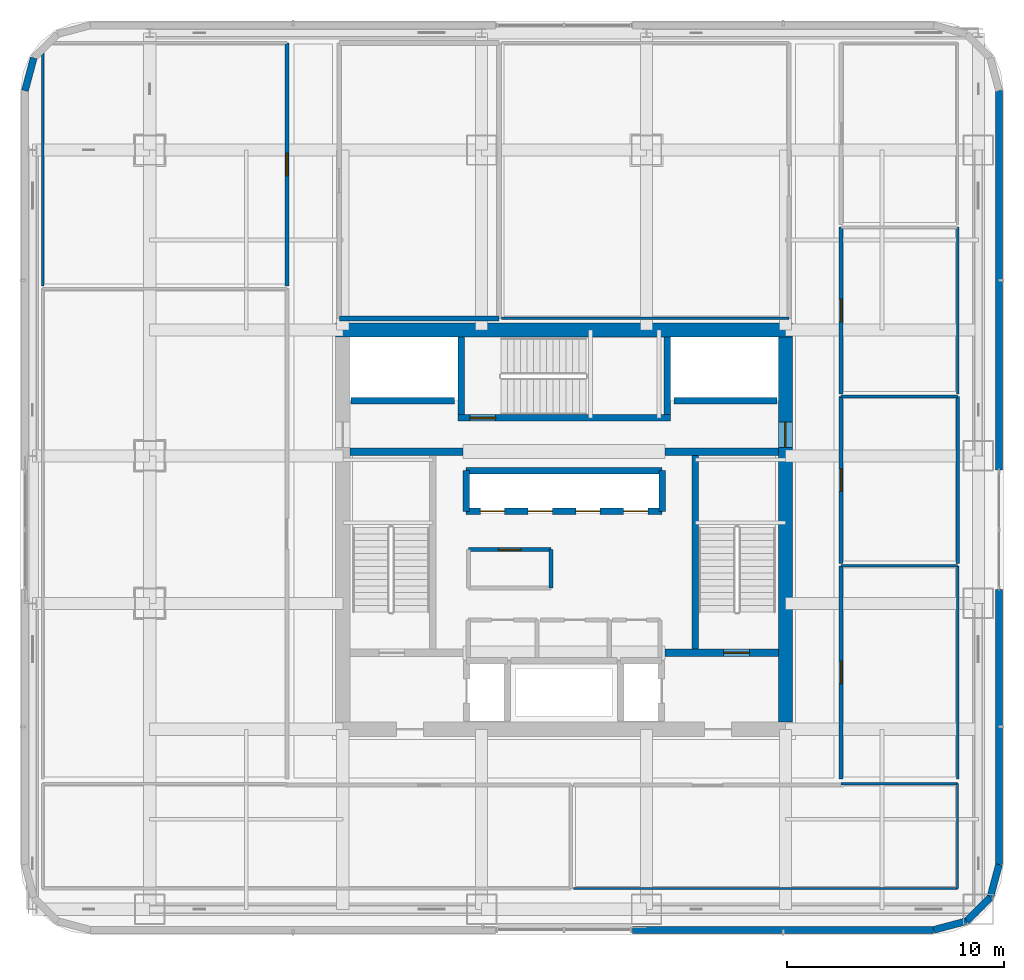
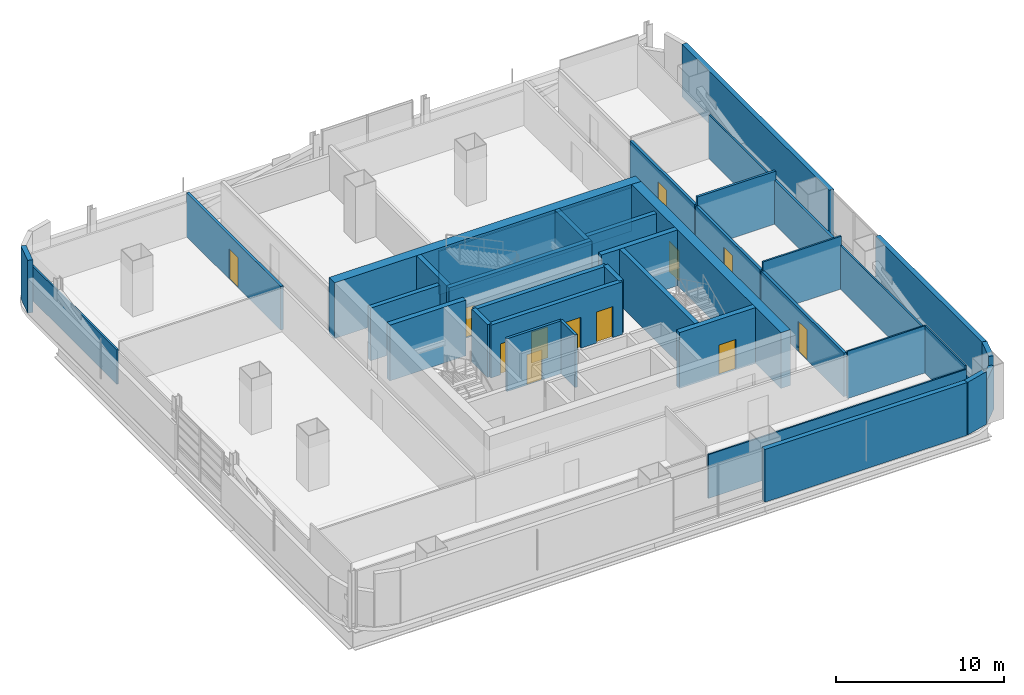
# One storey, part 14 of 32: 39 walls, 12 doors, 12 openings.
"""IFC4 building model written with IfcOpenShell, lengths in metres."""

from ifc_helpers import new_model, si_unit, direction, frame, frame_2d, origin, place, context, subcontext, project, spatial, rectangle, extrude, material, layer, layer_set, type_object, element, fill, save


model = new_model("IFC4")

# Units and contexts
model_context = context("Model", 3, precision=1e-05, world=origin(), true_north=direction((0.0, 1.0)))
body_context = subcontext(model_context, "Body", "Model", "MODEL_VIEW")
ifc_project = project(units=[si_unit("LENGTHUNIT", "METRE"), si_unit("AREAUNIT", "SQUARE_METRE"), si_unit("VOLUMEUNIT", "CUBIC_METRE"), si_unit("PLANEANGLEUNIT", "RADIAN"), si_unit("MASSUNIT", "GRAM", prefix="KILO")], contexts=[model_context])

# Site, building, storey
site_placement = place(None, origin())
site = spatial("IfcSite", under=ifc_project, at=site_placement, CompositionType="ELEMENT")
building_placement = place(site_placement, origin())
building = spatial("IfcBuilding", under=site, at=building_placement, Name="Punatoya Terracotta Tower", CompositionType="ELEMENT")
storey_placement = place(building_placement, frame((0.0, 0.0, 139.800048828125)))
storey = spatial("IfcBuildingStorey", under=building, at=storey_placement, Name="L32", CompositionType="ELEMENT", Elevation=139.800048828125)

# Wall
ifc_material_1 = material(Name="Concrete C60/75", Category="concrete")
ifc_layer_1 = layer(ifc_material_1, 0.64990234375)
ifc_layer_set_1 = layer_set([ifc_layer_1], Name="Concrete C60/75")
wall_type_1 = type_object("IfcWallType", Name="WL-COR-650", PredefinedType="SHEAR", material=ifc_layer_set_1)
wall_1_placement = place(storey_placement, frame((-10.52490234375, 9.199951171875, 0.0), z_axis=(0.0, 0.0, 1.0), x_axis=(1.0, 0.0, 0.0)))
element("IfcWall", 1, at=wall_1_placement, inside=storey, type_object=wall_type_1, Name="L32 Core Shear Wall N", PredefinedType="SHEAR", context=body_context, shape_type="SweptSolid", body=[
    extrude(rectangle(XDim=21.0498046875, YDim=0.64990234375, at=frame_2d((10.52490234375, 0.0))), origin(), (0.0, 0.0, 1.0), 4.050048828125),
])

# Wall, opening, door
wall_2_placement = place(storey_placement, frame((10.199951171875, 8.875, 0.0), z_axis=(0.0, 0.0, 1.0), x_axis=(0.0, -1.0, 0.0)))
wall_2 = element("IfcWall", 2, at=wall_2_placement, inside=storey, type_object=wall_type_1, Name="L32 Core Shear Wall E", PredefinedType="SHEAR", context=body_context, shape_type="SweptSolid", body=[
    extrude(rectangle(XDim=17.75, YDim=0.64990234375, at=frame_2d((8.875, 0.0))), origin(), (0.0, 0.0, 1.0), 4.050048828125),
])
opening_1_placement = place(wall_2_placement, frame((3.905029296875, 0.0, 0.0)))
opening_1 = element("IfcOpeningElement", 3, at=opening_1_placement, cuts=wall_2, Name="Opening SD-01", PredefinedType="OPENING", context=body_context, shape_type="SweptSolid", body=[
    extrude(rectangle(XDim=1.179931640625, YDim=2.199951171875, at=frame_2d((0.58984375, 1.10009765625))), frame((0.0, 0.3349609375, 0.0), z_axis=(0.0, -1.0, 0.0), x_axis=(1.0, 0.0, 0.0)), (0.0, 0.0, 1.0), 0.669921875),
])
ifc_material_2 = material(Name="Galvanised Steel Pressurized Stair Fire Door", Category="steel")
door_type_1 = type_object("IfcDoorType", Name="DR-STR-1180", OperationType="NOTDEFINED", PredefinedType="DOOR", material=ifc_material_2)
door_1_placement = place(opening_1_placement, origin())
door_1 = element("IfcDoor", 4, at=door_1_placement, inside=storey, type_object=door_type_1, Name="L32 Central Lift Lobby East Fire Door", OperationType="SINGLE_SWING_RIGHT", OverallHeight=2.199951171875, OverallWidth=1.179931640625, PredefinedType="DOOR", context=body_context, shape_type="SweptSolid", body=[
    extrude(rectangle(XDim=1.179931640625, YDim=2.199951171875, at=frame_2d((0.58984375, 1.10009765625))), frame((0.0, 0.02490234375, 0.0), z_axis=(0.0, -1.0, 0.0), x_axis=(1.0, 0.0, 0.0)), (0.0, 0.0, 1.0), 0.050048828125),
])
fill(opening_1, door_1)

# Wall
ifc_material_3 = material(Name="Gypsum Fireboard + Steel Stud", Category="steel")
ifc_layer_2 = layer(ifc_material_3, 0.179931640625)
ifc_layer_set_2 = layer_set([ifc_layer_2], Name="Gypsum Fireboard + Steel Stud")
wall_type_2 = type_object("IfcWallType", Name="WL-CORR-180", PredefinedType="PARTITIONING", material=ifc_layer_set_2)
wall_3_placement = place(storey_placement, frame((-0.60009765625, -2.679931640625, 0.0), z_axis=(0.0, 0.0, 1.0), x_axis=(0.0, 1.0, 0.0)))
element("IfcWall", 5, at=wall_3_placement, inside=storey, type_object=wall_type_2, Name="L32 West Core Archive Office Partition 08", PredefinedType="PARTITIONING", context=body_context, shape_type="SweptSolid", body=[
    extrude(rectangle(XDim=1.760009765625, YDim=0.179931640625, at=frame_2d((0.8798828125, 0.0))), origin(), (0.0, 0.0, 1.0), 3.829833984375),
])

# Wall, opening, door
wall_4_placement = place(storey_placement, frame((-0.60009765625, -0.919921875, 0.0), z_axis=(0.0, 0.0, 1.0), x_axis=(-1.0, 0.0, 0.0)))
wall_4 = element("IfcWall", 6, at=wall_4_placement, inside=storey, type_object=wall_type_2, Name="L32 West Core Archive Office Partition 09", PredefinedType="PARTITIONING", context=body_context, shape_type="SweptSolid", body=[
    extrude(rectangle(XDim=3.7998046875, YDim=0.179931640625, at=frame_2d((1.89990234375, 0.0))), origin(), (0.0, 0.0, 1.0), 3.829833984375),
])
opening_2_placement = place(wall_4_placement, frame((1.375, 0.0, 0.0)))
opening_2 = element("IfcOpeningElement", 7, at=opening_2_placement, cuts=wall_4, Name="Opening OD-01", PredefinedType="OPENING", context=body_context, shape_type="SweptSolid", body=[
    extrude(rectangle(XDim=1.050048828125, YDim=2.199951171875, at=frame_2d((0.52490234375, 1.10009765625))), frame((0.0, 0.099853515625, 0.0), z_axis=(0.0, -1.0, 0.0), x_axis=(1.0, 0.0, 0.0)), (0.0, 0.0, 1.0), 0.199951171875),
])
ifc_material_4 = material(Name="Bengal Teak Solid-Core Leaf")
door_type_2 = type_object("IfcDoorType", Name="DR-OFF-1050", OperationType="NOTDEFINED", PredefinedType="DOOR", material=ifc_material_4)
door_2_placement = place(opening_2_placement, origin())
door_2 = element("IfcDoor", 8, at=door_2_placement, inside=storey, type_object=door_type_2, Name="L32 West Archive Office Door", OperationType="SINGLE_SWING_LEFT", OverallHeight=2.199951171875, OverallWidth=1.050048828125, PredefinedType="DOOR", context=body_context, shape_type="SweptSolid", body=[
    extrude(rectangle(XDim=1.050048828125, YDim=2.199951171875, at=frame_2d((0.52490234375, 1.10009765625))), frame((0.0, 0.02490234375, 0.0), z_axis=(0.0, -1.0, 0.0), x_axis=(1.0, 0.0, 0.0)), (0.0, 0.0, 1.0), 0.050048828125),
])
fill(opening_2, door_2)

wall_5_placement = place(storey_placement, frame((12.77001953125, -11.489990234375, 0.0), z_axis=(0.0, 0.0, 1.0), x_axis=(0.0, 1.0, 0.0)))
wall_5 = element("IfcWall", 9, at=wall_5_placement, inside=storey, type_object=wall_type_2, Name="L32 Graphic Design Workplace Partition 23", PredefinedType="PARTITIONING", context=body_context, shape_type="SweptSolid", body=[
    extrude(rectangle(XDim=9.820068359375, YDim=0.179931640625, at=frame_2d((4.91015625, 0.0))), origin(), (0.0, 0.0, 1.0), 3.174072265625),
])
opening_3_placement = place(wall_5_placement, frame((4.385009765625, 0.0, 0.0)))
opening_3 = element("IfcOpeningElement", 10, at=opening_3_placement, cuts=wall_5, Name="Opening OD-01", PredefinedType="OPENING", context=body_context, shape_type="SweptSolid", body=[
    extrude(rectangle(XDim=1.050048828125, YDim=2.199951171875, at=frame_2d((0.52490234375, 1.10009765625))), frame((0.0, 0.099853515625, 0.0), z_axis=(0.0, -1.0, 0.0), x_axis=(1.0, 0.0, 0.0)), (0.0, 0.0, 1.0), 0.199951171875),
])
door_3_placement = place(opening_3_placement, origin())
door_3 = element("IfcDoor", 11, at=door_3_placement, inside=storey, type_object=door_type_2, Name="L32 Graphic Design Workplace Door", OperationType="SINGLE_SWING_RIGHT", OverallHeight=2.199951171875, OverallWidth=1.050048828125, PredefinedType="DOOR", context=body_context, shape_type="SweptSolid", body=[
    extrude(rectangle(XDim=1.050048828125, YDim=2.199951171875, at=frame_2d((0.52490234375, 1.10009765625))), frame((0.0, 0.02490234375, 0.0), z_axis=(0.0, -1.0, 0.0), x_axis=(1.0, 0.0, 0.0)), (0.0, 0.0, 1.0), 0.050048828125),
])
fill(opening_3, door_3)

wall_6_placement = place(storey_placement, frame((12.77001953125, -1.550048828125, 0.0), z_axis=(0.0, 0.0, 1.0), x_axis=(0.0, 1.0, 0.0)))
wall_6 = element("IfcWall", 12, at=wall_6_placement, inside=storey, type_object=wall_type_2, Name="L32 Hospitality Tea Pantry Partition 29", PredefinedType="PARTITIONING", context=body_context, shape_type="SweptSolid", body=[
    extrude(rectangle(XDim=7.68994140625, YDim=0.179931640625, at=frame_2d((3.844970703125, 0.0))), origin(), (0.0, 0.0, 1.0), 3.174072265625),
])
opening_4_placement = place(wall_6_placement, frame((3.320068359375, 0.0, 0.0)))
opening_4 = element("IfcOpeningElement", 13, at=opening_4_placement, cuts=wall_6, Name="Opening OD-01", PredefinedType="OPENING", context=body_context, shape_type="SweptSolid", body=[
    extrude(rectangle(XDim=1.050048828125, YDim=2.199951171875, at=frame_2d((0.52490234375, 1.10009765625))), frame((0.0, 0.099853515625, 0.0), z_axis=(0.0, -1.0, 0.0), x_axis=(1.0, 0.0, 0.0)), (0.0, 0.0, 1.0), 0.199951171875),
])
door_4_placement = place(opening_4_placement, origin())
door_4 = element("IfcDoor", 14, at=door_4_placement, inside=storey, type_object=door_type_2, Name="L32 Hospitality Tea Pantry Door", OperationType="SINGLE_SWING_RIGHT", OverallHeight=2.199951171875, OverallWidth=1.050048828125, PredefinedType="DOOR", context=body_context, shape_type="SweptSolid", body=[
    extrude(rectangle(XDim=1.050048828125, YDim=2.199951171875, at=frame_2d((0.52490234375, 1.10009765625))), frame((0.0, 0.02490234375, 0.0), z_axis=(0.0, -1.0, 0.0), x_axis=(1.0, 0.0, 0.0)), (0.0, 0.0, 1.0), 0.050048828125),
])
fill(opening_4, door_4)

wall_7_placement = place(storey_placement, frame((12.77001953125, 6.260009765625, 0.0), z_axis=(0.0, 0.0, 1.0), x_axis=(0.0, 1.0, 0.0)))
wall_7 = element("IfcWall", 15, at=wall_7_placement, inside=storey, type_object=wall_type_2, Name="L32 Acoustic Wellness Room Partition 32", PredefinedType="PARTITIONING", context=body_context, shape_type="SweptSolid", body=[
    extrude(rectangle(XDim=7.68994140625, YDim=0.179931640625, at=frame_2d((3.844970703125, 0.0))), origin(), (0.0, 0.0, 1.0), 3.174072265625),
])
opening_5_placement = place(wall_7_placement, frame((3.320068359375, 0.0, 0.0)))
opening_5 = element("IfcOpeningElement", 16, at=opening_5_placement, cuts=wall_7, Name="Opening OD-01", PredefinedType="OPENING", context=body_context, shape_type="SweptSolid", body=[
    extrude(rectangle(XDim=1.050048828125, YDim=2.199951171875, at=frame_2d((0.52490234375, 1.10009765625))), frame((0.0, 0.099853515625, 0.0), z_axis=(0.0, -1.0, 0.0), x_axis=(1.0, 0.0, 0.0)), (0.0, 0.0, 1.0), 0.199951171875),
])
door_5_placement = place(opening_5_placement, origin())
door_5 = element("IfcDoor", 17, at=door_5_placement, inside=storey, type_object=door_type_2, Name="L32 Acoustic Wellness Room Door", OperationType="SINGLE_SWING_LEFT", OverallHeight=2.199951171875, OverallWidth=1.050048828125, PredefinedType="DOOR", context=body_context, shape_type="SweptSolid", body=[
    extrude(rectangle(XDim=1.050048828125, YDim=2.199951171875, at=frame_2d((0.52490234375, 1.10009765625))), frame((0.0, 0.02490234375, 0.0), z_axis=(0.0, -1.0, 0.0), x_axis=(1.0, 0.0, 0.0)), (0.0, 0.0, 1.0), 0.050048828125),
])
fill(opening_5, door_5)

wall_8_placement = place(storey_placement, frame((-12.77001953125, 22.43994140625, 0.0), z_axis=(0.0, 0.0, 1.0), x_axis=(0.0, -1.0, 0.0)))
wall_8 = element("IfcWall", 18, at=wall_8_placement, inside=storey, type_object=wall_type_2, Name="L32 Open-Plan Client Briefing Office Partition 40", PredefinedType="PARTITIONING", context=body_context, shape_type="SweptSolid", body=[
    extrude(rectangle(XDim=11.2099609375, YDim=0.179931640625, at=frame_2d((5.60498046875, 0.0))), origin(), (0.0, 0.0, 1.0), 3.174072265625),
])
opening_6_placement = place(wall_8_placement, frame((5.080078125, 0.0, 0.0)))
opening_6 = element("IfcOpeningElement", 19, at=opening_6_placement, cuts=wall_8, Name="Opening OD-01", PredefinedType="OPENING", context=body_context, shape_type="SweptSolid", body=[
    extrude(rectangle(XDim=1.050048828125, YDim=2.199951171875, at=frame_2d((0.52490234375, 1.10009765625))), frame((0.0, 0.099853515625, 0.0), z_axis=(0.0, -1.0, 0.0), x_axis=(1.0, 0.0, 0.0)), (0.0, 0.0, 1.0), 0.199951171875),
])
door_6_placement = place(opening_6_placement, origin())
door_6 = element("IfcDoor", 20, at=door_6_placement, inside=storey, type_object=door_type_2, Name="L32 Open-Plan Client Briefing Office Door", OperationType="SINGLE_SWING_RIGHT", OverallHeight=2.199951171875, OverallWidth=1.050048828125, PredefinedType="DOOR", context=body_context, shape_type="SweptSolid", body=[
    extrude(rectangle(XDim=1.050048828125, YDim=2.199951171875, at=frame_2d((0.52490234375, 1.10009765625))), frame((0.0, 0.02490234375, 0.0), z_axis=(0.0, -1.0, 0.0), x_axis=(1.0, 0.0, 0.0)), (0.0, 0.0, 1.0), 0.050048828125),
])
fill(opening_6, door_6)

# Walls
ifc_material_5 = material(Name="Precast concrete C40/50", Category="concrete")
ifc_layer_3 = layer(ifc_material_5, 0.320068359375)
ifc_layer_set_3 = layer_set([ifc_layer_3], Name="Precast concrete C40/50")
wall_type_3 = type_object("IfcWallType", Name="WL-EXT-320", PredefinedType="SOLIDWALL", material=ifc_layer_set_3)
wall_9_placement = place(storey_placement, frame((3.14990234375, -18.449951171875, 0.0), z_axis=(0.0, 0.0, 1.0), x_axis=(1.0, 0.0, 0.0)))
element("IfcWall", 21, at=wall_9_placement, inside=storey, type_object=wall_type_3, Name="L32 Terracotta Braced Facade Wall S2", PredefinedType="SOLIDWALL", context=body_context, shape_type="SweptSolid", body=[
    extrude(rectangle(XDim=13.886962890625, YDim=0.320068359375, at=frame_2d((6.943359375, 0.0))), origin(), (0.0, 0.0, 1.0), 3.829833984375),
])
wall_10_placement = place(storey_placement, frame((17.036865234375, -18.449951171875, 0.0), z_axis=(0.0, 0.0, 1.0), x_axis=(0.966224582397, 0.257701486942, 0.0)))
element("IfcWall", 22, at=wall_10_placement, inside=storey, type_object=wall_type_3, Name="L32 Rounded Terracotta Corner Pier 02", PredefinedType="SOLIDWALL", context=body_context, shape_type="SweptSolid", body=[
    extrude(rectangle(XDim=1.565185546875, YDim=0.320068359375, at=frame_2d((0.78271484375, 0.0))), origin(), (0.0, 0.0, 1.0), 3.829833984375),
])
wall_11_placement = place(storey_placement, frame((18.549072265625, -18.046630859375, 0.0), z_axis=(0.0, 0.0, 1.0), x_axis=(0.707106781187, 0.707106781187, 0.0)))
element("IfcWall", 23, at=wall_11_placement, inside=storey, type_object=wall_type_3, Name="L32 Rounded Terracotta Corner Pier 03", PredefinedType="SOLIDWALL", context=body_context, shape_type="SweptSolid", body=[
    extrude(rectangle(XDim=1.552001953125, YDim=0.320068359375, at=frame_2d((0.77587890625, 0.0))), origin(), (0.0, 0.0, 1.0), 3.174072265625),
])
wall_12_placement = place(storey_placement, frame((19.646484375, -16.94921875, 0.0), z_axis=(0.0, 0.0, 1.0), x_axis=(0.257847112249, 0.966185730957, 0.0)))
element("IfcWall", 24, at=wall_12_placement, inside=storey, type_object=wall_type_3, Name="L32 Rounded Terracotta Corner Pier 04", PredefinedType="SOLIDWALL", context=body_context, shape_type="SweptSolid", body=[
    extrude(rectangle(XDim=1.565185546875, YDim=0.320068359375, at=frame_2d((0.78271484375, 0.0))), origin(), (0.0, 0.0, 1.0), 3.829833984375),
])
wall_13_placement = place(storey_placement, frame((20.050048828125, -15.43701171875, 0.0), z_axis=(0.0, 0.0, 1.0), x_axis=(0.0, 1.0, 0.0)))
element("IfcWall", 25, at=wall_13_placement, inside=storey, type_object=wall_type_3, Name="L32 Terracotta Braced Facade Wall E1", PredefinedType="SOLIDWALL", context=body_context, shape_type="SweptSolid", body=[
    extrude(rectangle(XDim=12.68701171875, YDim=0.320068359375, at=frame_2d((6.343505859375, 0.0))), origin(), (0.0, 0.0, 1.0), 3.829833984375),
])
wall_14_placement = place(storey_placement, frame((20.050048828125, 2.75, 0.0), z_axis=(0.0, 0.0, 1.0), x_axis=(0.0, 1.0, 0.0)))
element("IfcWall", 26, at=wall_14_placement, inside=storey, type_object=wall_type_3, Name="L32 Terracotta Braced Facade Wall E2", PredefinedType="SOLIDWALL", context=body_context, shape_type="SweptSolid", body=[
    extrude(rectangle(XDim=17.48681640625, YDim=0.320068359375, at=frame_2d((8.743408203125, 0.0))), origin(), (0.0, 0.0, 1.0), 3.829833984375),
])
wall_15_placement = place(storey_placement, frame((-24.446533203125, 21.7490234375, 0.0), z_axis=(0.0, 0.0, 1.0), x_axis=(-0.257847112249, -0.966185730957, 0.0)))
element("IfcWall", 27, at=wall_15_placement, inside=storey, type_object=wall_type_3, Name="L32 Rounded Terracotta Corner Pier 12", PredefinedType="SOLIDWALL", context=body_context, shape_type="SweptSolid", body=[
    extrude(rectangle(XDim=1.565185546875, YDim=0.320068359375, at=frame_2d((0.78271484375, 0.0))), origin(), (0.0, 0.0, 1.0), 3.829833984375),
])
ifc_material_6 = material(Name="Concrete C40/50", Category="concrete")
ifc_layer_4 = layer(ifc_material_6, 0.219970703125)
ifc_layer_set_4 = layer_set([ifc_layer_4], Name="Concrete C40/50")
wall_type_4 = type_object("IfcWallType", Name="WL-FIR-220", PredefinedType="SOLIDWALL", material=ifc_layer_set_4)
wall_16_placement = place(storey_placement, frame((-2.993896484375, 9.739990234375, 0.0), z_axis=(0.0, 0.0, 1.0), x_axis=(-1.0, 0.0, 0.0)))
element("IfcWall", 28, at=wall_16_placement, inside=storey, type_object=wall_type_4, Name="L32 Open-Plan Model-Making Archive Partition 35", PredefinedType="SOLIDWALL", context=body_context, shape_type="SweptSolid", body=[
    extrude(rectangle(XDim=7.3662109375, YDim=0.219970703125, at=frame_2d((3.68310546875, 0.0))), origin(), (0.0, 0.0, 1.0), 3.174072265625),
])
ifc_material_7 = material(Name="Aluminium Framed Acoustic Glass Partition", Category="aluminium")
ifc_layer_5 = layer(ifc_material_7, 0.10009765625)
ifc_layer_set_5 = layer_set([ifc_layer_5], Name="Aluminium Framed Acoustic Glass Partition")
wall_type_5 = type_object("IfcWallType", Name="WL-GLZ-100", PredefinedType="PARTITIONING", material=ifc_layer_set_5)
wall_17_placement = place(storey_placement, frame((12.77001953125, -11.7099609375, 0.0), z_axis=(0.0, 0.0, 1.0), x_axis=(1.0, 0.0, 0.0)))
element("IfcWall", 29, at=wall_17_placement, inside=storey, type_object=wall_type_5, Name="L32 Media Broadcast Studio Partition 18", PredefinedType="PARTITIONING", context=body_context, shape_type="SweptSolid", body=[
    extrude(rectangle(XDim=5.369873046875, YDim=0.10009765625, at=frame_2d((2.68505859375, 0.0))), origin(), (0.0, 0.0, 1.0), 3.424072265625),
])
wall_18_placement = place(storey_placement, frame((18.139892578125, -11.7099609375, 0.0), z_axis=(0.0, 0.0, 1.0), x_axis=(0.0, -1.0, 0.0)))
element("IfcWall", 30, at=wall_18_placement, inside=storey, type_object=wall_type_5, Name="L32 Media Broadcast Studio Partition 19", PredefinedType="PARTITIONING", context=body_context, shape_type="SweptSolid", body=[
    extrude(rectangle(XDim=4.830078125, YDim=0.10009765625, at=frame_2d((2.4150390625, 0.0))), origin(), (0.0, 0.0, 1.0), 3.424072265625),
])
wall_19_placement = place(storey_placement, frame((18.139892578125, -16.5400390625, 0.0), z_axis=(0.0, 0.0, 1.0), x_axis=(-1.0, 0.0, 0.0)))
element("IfcWall", 31, at=wall_19_placement, inside=storey, type_object=wall_type_5, Name="L32 Media Broadcast Studio Partition 20", PredefinedType="PARTITIONING", context=body_context, shape_type="SweptSolid", body=[
    extrude(rectangle(XDim=17.701904296875, YDim=0.10009765625, at=frame_2d((8.85107421875, 0.0))), origin(), (0.0, 0.0, 1.0), 3.174072265625),
])
ifc_material_8 = material(Name="Gypsum Partition + Steel Stud", Category="steel")
ifc_layer_6 = layer(ifc_material_8, 0.1201171875)
ifc_layer_set_6 = layer_set([ifc_layer_6], Name="Gypsum Partition + Steel Stud")
wall_type_6 = type_object("IfcWallType", Name="WL-OFF-120", PredefinedType="PARTITIONING", material=ifc_layer_set_6)
wall_20_placement = place(storey_placement, frame((12.77001953125, -1.669921875, 0.0), z_axis=(0.0, 0.0, 1.0), x_axis=(1.0, 0.0, 0.0)))
element("IfcWall", 32, at=wall_20_placement, inside=storey, type_object=wall_type_6, Name="L32 Graphic Design Workplace Partition 21", PredefinedType="PARTITIONING", context=body_context, shape_type="SweptSolid", body=[
    extrude(rectangle(XDim=5.369873046875, YDim=0.1201171875, at=frame_2d((2.68505859375, 0.0))), origin(), (0.0, 0.0, 1.0), 3.829833984375),
])
wall_21_placement = place(storey_placement, frame((18.139892578125, -1.669921875, 0.0), z_axis=(0.0, 0.0, 1.0), x_axis=(0.0, -1.0, 0.0)))
element("IfcWall", 33, at=wall_21_placement, inside=storey, type_object=wall_type_6, Name="L32 Graphic Design Workplace Partition 22", PredefinedType="PARTITIONING", context=body_context, shape_type="SweptSolid", body=[
    extrude(rectangle(XDim=9.820068359375, YDim=0.1201171875, at=frame_2d((4.91015625, 0.0))), origin(), (0.0, 0.0, 1.0), 3.174072265625),
])
wall_22_placement = place(storey_placement, frame((18.139892578125, 13.949951171875, 0.0), z_axis=(0.0, 0.0, 1.0), x_axis=(0.0, -1.0, 0.0)))
element("IfcWall", 34, at=wall_22_placement, inside=storey, type_object=wall_type_6, Name="L32 Acoustic Wellness Room Partition 31", PredefinedType="PARTITIONING", context=body_context, shape_type="SweptSolid", body=[
    extrude(rectangle(XDim=7.68994140625, YDim=0.1201171875, at=frame_2d((3.844970703125, 0.0))), origin(), (0.0, 0.0, 1.0), 3.174072265625),
])
wall_23_placement = place(storey_placement, frame((10.360107421875, 9.739990234375, 0.0), z_axis=(0.0, 0.0, 1.0), x_axis=(-1.0, 0.0, 0.0)))
element("IfcWall", 35, at=wall_23_placement, inside=storey, type_object=wall_type_6, Name="L32 Editorial Conference Room Partition 37", PredefinedType="PARTITIONING", context=body_context, shape_type="SweptSolid", body=[
    extrude(rectangle(XDim=13.234130859375, YDim=0.1201171875, at=frame_2d((6.6171875, 0.0))), origin(), (0.0, 0.0, 1.0), 3.174072265625),
])
wall_24_placement = place(storey_placement, frame((-24.0400390625, 11.22998046875, 0.0), z_axis=(0.0, 0.0, 1.0), x_axis=(0.0, 1.0, 0.0)))
element("IfcWall", 36, at=wall_24_placement, inside=storey, type_object=wall_type_6, Name="L32 Open-Plan Client Briefing Office Partition 41", PredefinedType="PARTITIONING", context=body_context, shape_type="SweptSolid", body=[
    extrude(rectangle(XDim=10.91748046875, YDim=0.1201171875, at=frame_2d((5.458740234375, 0.0))), origin(), (0.0, 0.0, 1.0), 2.50390625),
])
ifc_layer_7 = layer(ifc_material_6, 0.300048828125)
ifc_layer_set_7 = layer_set([ifc_layer_7], Name="Concrete C40/50")
wall_type_7 = type_object("IfcWallType", Name="WL-SHF-300", PredefinedType="SOLIDWALL", material=ifc_layer_set_7)
wall_25_placement = place(storey_placement, frame((6.050048828125, 3.449951171875, 0.0), z_axis=(0.0, 0.0, 1.0), x_axis=(0.0, -1.0, 0.0)))
element("IfcWall", 37, at=wall_25_placement, inside=storey, type_object=wall_type_7, Name="L32 Structural Stair Shaft Wall SW-ST2-W", PredefinedType="SOLIDWALL", context=body_context, shape_type="SweptSolid", body=[
    extrude(rectangle(XDim=8.949951171875, YDim=0.300048828125, at=frame_2d((4.47509765625, 0.0))), origin(), (0.0, 0.0, 1.0), 4.050048828125),
])
for number, where, z_axis, x_axis, name in (
    (38, (-4.75, 5.300048828125, 0.0), (0.0, 0.0, 1.0), (0.0, 1.0, 0.0), "L32 Structural Stair Shaft Wall SW-ST3-W"),
    (39, (4.75, 8.875, 0.0), (0.0, 0.0, 1.0), (0.0, -1.0, 0.0), "L32 Structural Stair Shaft Wall SW-ST3-E"),
):
    element("IfcWall", number, at=place(storey_placement, frame(where, z_axis=z_axis, x_axis=x_axis)), inside=storey, type_object=wall_type_7, Name=name, PredefinedType="SOLIDWALL", context=body_context, shape_type="SweptSolid", body=[
        extrude(rectangle(XDim=3.574951171875, YDim=0.300048828125, at=frame_2d((1.78759765625, 0.0))), origin(), (0.0, 0.0, 1.0), 4.050048828125),
    ])

# Wall, opening, door
wall_26_placement = place(storey_placement, frame((-4.89990234375, 5.14990234375, 0.0), z_axis=(0.0, 0.0, 1.0), x_axis=(1.0, 0.0, 0.0)))
wall_26 = element("IfcWall", 40, at=wall_26_placement, inside=storey, type_object=wall_type_7, Name="L32 Structural Stair Shaft Wall SW-ST3-S", PredefinedType="SOLIDWALL", context=body_context, shape_type="SweptSolid", body=[
    extrude(rectangle(XDim=9.7998046875, YDim=0.300048828125, at=frame_2d((4.89990234375, 0.0))), origin(), (0.0, 0.0, 1.0), 4.050048828125),
])
opening_7_placement = place(wall_26_placement, frame((0.56005859375, 0.0, 0.0)))
opening_7 = element("IfcOpeningElement", 41, at=opening_7_placement, cuts=wall_26, Name="Opening SD-01", PredefinedType="OPENING", context=body_context, shape_type="SweptSolid", body=[
    extrude(rectangle(XDim=1.179931640625, YDim=2.199951171875, at=frame_2d((0.58984375, 1.10009765625))), frame((0.0, 0.159912109375, 0.0), z_axis=(0.0, -1.0, 0.0), x_axis=(1.0, 0.0, 0.0)), (0.0, 0.0, 1.0), 0.320068359375),
])
door_7_placement = place(opening_7_placement, origin())
door_7 = element("IfcDoor", 42, at=door_7_placement, inside=storey, type_object=door_type_1, Name="L32 Stair ST-3 Core Lobby Fire Door", OperationType="SINGLE_SWING_LEFT", OverallHeight=2.199951171875, OverallWidth=1.179931640625, PredefinedType="DOOR", context=body_context, shape_type="SweptSolid", body=[
    extrude(rectangle(XDim=1.179931640625, YDim=2.199951171875, at=frame_2d((0.58984375, 1.10009765625))), frame((0.0, 0.02490234375, 0.0), z_axis=(0.0, -1.0, 0.0), x_axis=(1.0, 0.0, 0.0)), (0.0, 0.0, 1.0), 0.050048828125),
])
fill(opening_7, door_7)

# Wall, openings, doors
wall_27_placement = place(storey_placement, frame((-4.52001953125, 0.840087890625, 0.0), z_axis=(0.0, 0.0, 1.0), x_axis=(1.0, 0.0, 0.0)))
wall_27 = element("IfcWall", 43, at=wall_27_placement, inside=storey, type_object=wall_type_7, Name="L32 North Lift Bank Front Shaft Wall", PredefinedType="SOLIDWALL", context=body_context, shape_type="SweptSolid", body=[
    extrude(rectangle(XDim=9.0400390625, YDim=0.300048828125, at=frame_2d((4.52001953125, 0.0))), origin(), (0.0, 0.0, 1.0), 3.829833984375),
])
opening_8_placement = place(wall_27_placement, frame((0.659912109375, 0.0, 0.0)))
opening_8 = element("IfcOpeningElement", 44, at=opening_8_placement, cuts=wall_27, Name="Opening LD-02", PredefinedType="OPENING", context=body_context, shape_type="SweptSolid", body=[
    extrude(rectangle(XDim=1.1201171875, YDim=2.25, at=frame_2d((0.56005859375, 1.125))), frame((0.0, 0.159912109375, 0.0), z_axis=(0.0, -1.0, 0.0), x_axis=(1.0, 0.0, 0.0)), (0.0, 0.0, 1.0), 0.320068359375),
])
opening_9_placement = place(wall_27_placement, frame((2.860107421875, 0.0, 0.0)))
opening_9 = element("IfcOpeningElement", 45, at=opening_9_placement, cuts=wall_27, Name="Opening LD-02", PredefinedType="OPENING", context=body_context, shape_type="SweptSolid", body=[
    extrude(rectangle(XDim=1.1201171875, YDim=2.25, at=frame_2d((0.56005859375, 1.125))), frame((0.0, 0.159912109375, 0.0), z_axis=(0.0, -1.0, 0.0), x_axis=(1.0, 0.0, 0.0)), (0.0, 0.0, 1.0), 0.320068359375),
])
opening_10_placement = place(wall_27_placement, frame((5.06005859375, 0.0, 0.0)))
opening_10 = element("IfcOpeningElement", 46, at=opening_10_placement, cuts=wall_27, Name="Opening LD-02", PredefinedType="OPENING", context=body_context, shape_type="SweptSolid", body=[
    extrude(rectangle(XDim=1.1201171875, YDim=2.25, at=frame_2d((0.56005859375, 1.125))), frame((0.0, 0.159912109375, 0.0), z_axis=(0.0, -1.0, 0.0), x_axis=(1.0, 0.0, 0.0)), (0.0, 0.0, 1.0), 0.320068359375),
])
opening_11_placement = place(wall_27_placement, frame((7.260009765625, 0.0, 0.0)))
opening_11 = element("IfcOpeningElement", 47, at=opening_11_placement, cuts=wall_27, Name="Opening LD-02", PredefinedType="OPENING", context=body_context, shape_type="SweptSolid", body=[
    extrude(rectangle(XDim=1.1201171875, YDim=2.25, at=frame_2d((0.56005859375, 1.125))), frame((0.0, 0.159912109375, 0.0), z_axis=(0.0, -1.0, 0.0), x_axis=(1.0, 0.0, 0.0)), (0.0, 0.0, 1.0), 0.320068359375),
])
ifc_material_9 = material(Name="Stainless Steel Lift Landing Door", Category="steel")
door_type_3 = type_object("IfcDoorType", Name="DR-LND-1120", OperationType="NOTDEFINED", PredefinedType="DOOR", material=ifc_material_9)
door_8_placement = place(opening_8_placement, origin())
door_8 = element("IfcDoor", 48, at=door_8_placement, inside=storey, type_object=door_type_3, Name="L32 Lift PL-M1 Sliding Landing Door", OperationType="DOUBLE_DOOR_SLIDING", OverallHeight=2.25, OverallWidth=1.1201171875, PredefinedType="DOOR", context=body_context, shape_type="SweptSolid", body=[
    extrude(rectangle(XDim=1.1201171875, YDim=2.25, at=frame_2d((0.56005859375, 1.125))), frame((0.0, 0.02490234375, 0.0), z_axis=(0.0, -1.0, 0.0), x_axis=(1.0, 0.0, 0.0)), (0.0, 0.0, 1.0), 0.050048828125),
])
fill(opening_8, door_8)
door_9_placement = place(opening_9_placement, origin())
door_9 = element("IfcDoor", 49, at=door_9_placement, inside=storey, type_object=door_type_3, Name="L32 Lift PL-M2 Sliding Landing Door", OperationType="DOUBLE_DOOR_SLIDING", OverallHeight=2.25, OverallWidth=1.1201171875, PredefinedType="DOOR", context=body_context, shape_type="SweptSolid", body=[
    extrude(rectangle(XDim=1.1201171875, YDim=2.25, at=frame_2d((0.56005859375, 1.125))), frame((0.0, 0.02490234375, 0.0), z_axis=(0.0, -1.0, 0.0), x_axis=(1.0, 0.0, 0.0)), (0.0, 0.0, 1.0), 0.050048828125),
])
fill(opening_9, door_9)
door_10_placement = place(opening_10_placement, origin())
door_10 = element("IfcDoor", 50, at=door_10_placement, inside=storey, type_object=door_type_3, Name="L32 Lift PL-M3 Sliding Landing Door", OperationType="DOUBLE_DOOR_SLIDING", OverallHeight=2.25, OverallWidth=1.1201171875, PredefinedType="DOOR", context=body_context, shape_type="SweptSolid", body=[
    extrude(rectangle(XDim=1.1201171875, YDim=2.25, at=frame_2d((0.56005859375, 1.125))), frame((0.0, 0.02490234375, 0.0), z_axis=(0.0, -1.0, 0.0), x_axis=(1.0, 0.0, 0.0)), (0.0, 0.0, 1.0), 0.050048828125),
])
fill(opening_10, door_10)
door_11_placement = place(opening_11_placement, origin())
door_11 = element("IfcDoor", 51, at=door_11_placement, inside=storey, type_object=door_type_3, Name="L32 Lift PL-M4 Sliding Landing Door", OperationType="DOUBLE_DOOR_SLIDING", OverallHeight=2.25, OverallWidth=1.1201171875, PredefinedType="DOOR", context=body_context, shape_type="SweptSolid", body=[
    extrude(rectangle(XDim=1.1201171875, YDim=2.25, at=frame_2d((0.56005859375, 1.125))), frame((0.0, 0.02490234375, 0.0), z_axis=(0.0, -1.0, 0.0), x_axis=(1.0, 0.0, 0.0)), (0.0, 0.0, 1.0), 0.050048828125),
])
fill(opening_11, door_11)

# Walls
wall_28_placement = place(storey_placement, frame((-4.52001953125, 2.719970703125, 0.0), z_axis=(0.0, 0.0, 1.0), x_axis=(1.0, 0.0, 0.0)))
element("IfcWall", 52, at=wall_28_placement, inside=storey, type_object=wall_type_7, Name="L32 North Lift Bank Rear Shaft Wall", PredefinedType="SOLIDWALL", context=body_context, shape_type="SweptSolid", body=[
    extrude(rectangle(XDim=9.0400390625, YDim=0.300048828125, at=frame_2d((4.52001953125, 0.0))), origin(), (0.0, 0.0, 1.0), 3.829833984375),
])
for number, where, z_axis, x_axis, name in (
    (53, (-4.52001953125, 0.840087890625, 0.0), (0.0, 0.0, 1.0), (0.0, 1.0, 0.0), "L32 North Lift Bank West End Wall"),
    (54, (4.52001953125, 0.840087890625, 0.0), (0.0, 0.0, 1.0), (0.0, 1.0, 0.0), "L32 North Lift Bank East End Wall"),
):
    element("IfcWall", number, at=place(storey_placement, frame(where, z_axis=z_axis, x_axis=x_axis)), inside=storey, type_object=wall_type_7, Name=name, PredefinedType="SOLIDWALL", context=body_context, shape_type="SweptSolid", body=[
        extrude(rectangle(XDim=1.8798828125, YDim=0.300048828125, at=frame_2d((0.93994140625, 0.0))), origin(), (0.0, 0.0, 1.0), 3.829833984375),
    ])
for number, where, z_axis, x_axis, name in (
    (55, (-9.820068359375, 5.949951171875, 0.0), (0.0, 0.0, 1.0), (1.0, 0.0, 0.0), "L32 Shuttle SL-1 South Hoistway Wall"),
    (56, (5.06005859375, 5.949951171875, 0.0), (0.0, 0.0, 1.0), (1.0, 0.0, 0.0), "L32 Shuttle SL-2 South Hoistway Wall"),
):
    element("IfcWall", number, at=place(storey_placement, frame(where, z_axis=z_axis, x_axis=x_axis)), inside=storey, type_object=wall_type_7, Name=name, PredefinedType="SOLIDWALL", context=body_context, shape_type="SweptSolid", body=[
        extrude(rectangle(XDim=4.760009765625, YDim=0.300048828125, at=frame_2d((2.3798828125, 0.0))), origin(), (0.0, 0.0, 1.0), 3.829833984375),
    ])

# Wall, opening, door
ifc_material_10 = material(Name="Concrete C50/60", Category="concrete")
ifc_layer_8 = layer(ifc_material_10, 0.35009765625)
ifc_layer_set_8 = layer_set([ifc_layer_8], Name="Concrete C50/60")
wall_type_8 = type_object("IfcWallType", Name="WL-SHF-350", PredefinedType="SOLIDWALL", material=ifc_layer_set_8)
wall_29_placement = place(storey_placement, frame((4.64990234375, -5.679931640625, 0.0), z_axis=(0.0, 0.0, 1.0), x_axis=(1.0, 0.0, 0.0)))
wall_29 = element("IfcWall", 57, at=wall_29_placement, inside=storey, type_object=wall_type_8, Name="L32 Core Web Wall CSW-R", PredefinedType="SOLIDWALL", context=body_context, shape_type="SweptSolid", body=[
    extrude(rectangle(XDim=5.22509765625, YDim=0.35009765625, at=frame_2d((2.612548828125, 0.0))), origin(), (0.0, 0.0, 1.0), 4.050048828125),
])
opening_12_placement = place(wall_29_placement, frame((2.7099609375, 0.0, 0.0)))
opening_12 = element("IfcOpeningElement", 58, at=opening_12_placement, cuts=wall_29, Name="Opening SD-01", PredefinedType="OPENING", context=body_context, shape_type="SweptSolid", body=[
    extrude(rectangle(XDim=1.179931640625, YDim=2.199951171875, at=frame_2d((0.58984375, 1.10009765625))), frame((0.0, 0.18505859375, 0.0), z_axis=(0.0, -1.0, 0.0), x_axis=(1.0, 0.0, 0.0)), (0.0, 0.0, 1.0), 0.3701171875),
])
door_12_placement = place(opening_12_placement, origin())
door_12 = element("IfcDoor", 59, at=door_12_placement, inside=storey, type_object=door_type_1, Name="L32 Stair ST-2 Smokeproof Lobby Fire Door", OperationType="SINGLE_SWING_RIGHT", OverallHeight=2.199951171875, OverallWidth=1.179931640625, PredefinedType="DOOR", context=body_context, shape_type="SweptSolid", body=[
    extrude(rectangle(XDim=1.179931640625, YDim=2.199951171875, at=frame_2d((0.58984375, 1.10009765625))), frame((0.0, 0.02490234375, 0.0), z_axis=(0.0, -1.0, 0.0), x_axis=(1.0, 0.0, 0.0)), (0.0, 0.0, 1.0), 0.050048828125),
])
fill(opening_12, door_12)

# Walls
for number, where, z_axis, x_axis, name in (
    (60, (-9.875, 3.60009765625, 0.0), (0.0, 0.0, 1.0), (1.0, 0.0, 0.0), "L32 Core Web Wall CNW-L"),
    (61, (4.64990234375, 3.60009765625, 0.0), (0.0, 0.0, 1.0), (1.0, 0.0, 0.0), "L32 Core Web Wall CNW-R"),
):
    element("IfcWall", number, at=place(storey_placement, frame(where, z_axis=z_axis, x_axis=x_axis)), inside=storey, type_object=wall_type_8, Name=name, PredefinedType="SOLIDWALL", context=body_context, shape_type="SweptSolid", body=[
        extrude(rectangle(XDim=5.22509765625, YDim=0.35009765625, at=frame_2d((2.612548828125, 0.0))), origin(), (0.0, 0.0, 1.0), 4.050048828125),
    ])
ifc_material_11 = material(Name="Masonry Blockwork + Ceramic Tile", Category="masonry")
ifc_layer_9 = layer(ifc_material_11, 0.159912109375)
ifc_layer_set_9 = layer_set([ifc_layer_9], Name="Masonry Blockwork + Ceramic Tile")
wall_type_9 = type_object("IfcWallType", Name="WL-WET-160", PredefinedType="PARTITIONING", material=ifc_layer_set_9)
wall_30_placement = place(storey_placement, frame((12.77001953125, 6.139892578125, 0.0), z_axis=(0.0, 0.0, 1.0), x_axis=(1.0, 0.0, 0.0)))
element("IfcWall", 62, at=wall_30_placement, inside=storey, type_object=wall_type_9, Name="L32 Hospitality Tea Pantry Partition 27", PredefinedType="PARTITIONING", context=body_context, shape_type="SweptSolid", body=[
    extrude(rectangle(XDim=5.369873046875, YDim=0.159912109375, at=frame_2d((2.68505859375, 0.0))), origin(), (0.0, 0.0, 1.0), 3.829833984375),
])
wall_31_placement = place(storey_placement, frame((18.139892578125, 6.139892578125, 0.0), z_axis=(0.0, 0.0, 1.0), x_axis=(0.0, -1.0, 0.0)))
element("IfcWall", 63, at=wall_31_placement, inside=storey, type_object=wall_type_9, Name="L32 Hospitality Tea Pantry Partition 28", PredefinedType="PARTITIONING", context=body_context, shape_type="SweptSolid", body=[
    extrude(rectangle(XDim=7.68994140625, YDim=0.159912109375, at=frame_2d((3.844970703125, 0.0))), origin(), (0.0, 0.0, 1.0), 3.174072265625),
])

save(model, "model.ifc")
